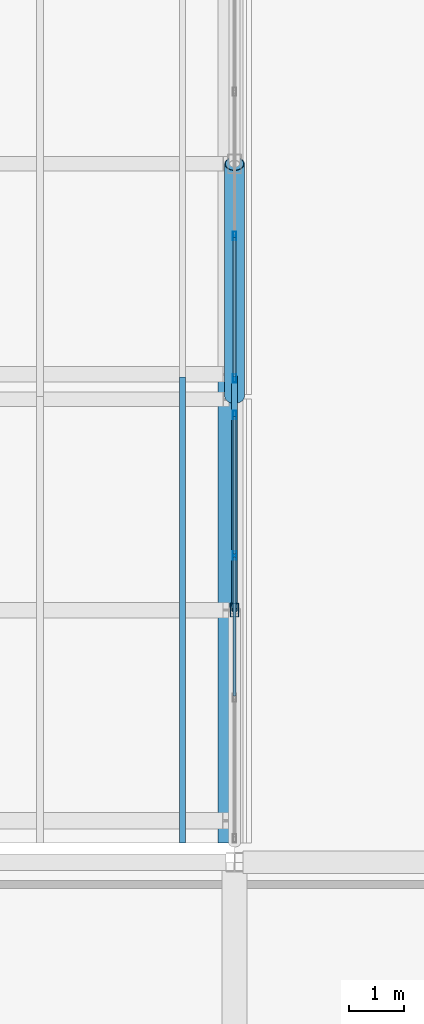
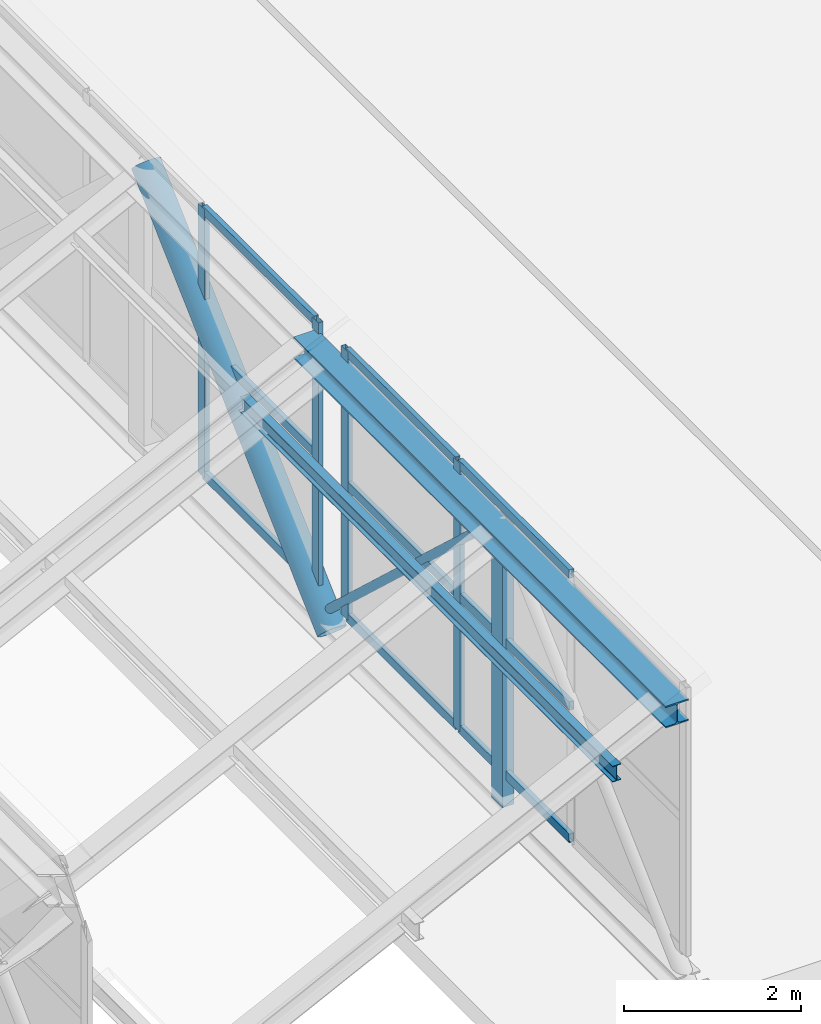
# One storey, part 46 of 101: 18 members, 2 elements without a shape of their own.
"""IFC4 building model written with IfcOpenShell, lengths in metres."""

import ifcopenshell
import ifcopenshell.guid

model = None  # the IFC model being written
_history = None  # IfcOwnerHistory: only IFC2X3 demands one
_inside = {}  # id of a spatial element -> (the spatial element, [elements in it])
_under = {}  # id of a project, library or spatial element -> (it, [spatial elements below it])
_declared = {}  # id of a project -> (the project, [libraries it declares])
_typed = {}  # id of a type object -> (the type object, [elements of that type])
_made_of = {}  # id of a material, layer set ... -> (it, [elements and type objects made of it])


def new_model(schema):
    """Start an empty IFC model of exactly this schema.

    Asked for "IFC4X3", IfcOpenShell would pick the latest addendum, in which some entities
    have other attributes; the version numbers below select the first issue.
    IFC2X3 requires an IfcOwnerHistory on every rooted entity: one is made here for all.
    """
    global model, _history
    if schema == "IFC4X3":
        model = ifcopenshell.file(schema_version=(4, 3, 0, 0))
    else:
        model = ifcopenshell.file(schema=schema)
    _inside.clear()
    _under.clear()
    _declared.clear()
    _typed.clear()
    _made_of.clear()
    _history = None
    if model.schema == "IFC2X3":
        org = make("IfcOrganization", Name="unknown")
        user = make(
            "IfcPersonAndOrganization",
            ThePerson=make("IfcPerson", FamilyName="unknown"),
            TheOrganization=org,
        )
        app = make(
            "IfcApplication",
            ApplicationDeveloper=org,
            Version="unknown",
            ApplicationFullName="unknown",
            ApplicationIdentifier="unknown",
        )
        _history = make(
            "IfcOwnerHistory",
            OwningUser=user,
            OwningApplication=app,
            ChangeAction="ADDED",
            CreationDate=0,
        )
    return model


def make(cls, **values):
    """One entity of the class cls with the attributes given. An attribute that is None is left unset."""
    return model.create_entity(
        cls, **{name: value for name, value in values.items() if value is not None}
    )


def rooted(cls, **values):
    """An entity with a GlobalId (a new one), such as an element, a storey or a relation."""
    return make(cls, GlobalId=ifcopenshell.guid.new(), OwnerHistory=_history, **values)


def si_unit(unit_type, name, prefix=None):
    """IfcSIUnit, for example si_unit("LENGTHUNIT", "METRE", prefix="MILLI")."""
    return make("IfcSIUnit", UnitType=unit_type, Prefix=prefix, Name=name)


def assignment(units):
    """IfcUnitAssignment: the units of a project."""
    return None if units is None else make("IfcUnitAssignment", Units=units)


def point(xyz):
    """IfcCartesianPoint."""
    return None if xyz is None else make("IfcCartesianPoint", Coordinates=xyz)


def direction(xyz):
    """IfcDirection."""
    return None if xyz is None else make("IfcDirection", DirectionRatios=xyz)


def frame(location, z_axis=None, x_axis=None):
    """IfcAxis2Placement3D, a coordinate frame: its origin and axes. An axis left out is left unset."""
    return make(
        "IfcAxis2Placement3D",
        Location=point(location),
        Axis=direction(z_axis),
        RefDirection=direction(x_axis),
    )


def frame_2d(location, x_axis=None):
    """IfcAxis2Placement2D, a coordinate frame in the plane: its origin and x axis."""
    return make(
        "IfcAxis2Placement2D", Location=point(location), RefDirection=direction(x_axis)
    )


def origin():
    """The frame at (0, 0, 0) with its axes left unset."""
    return frame((0.0, 0.0, 0.0))


def origin_2d():
    """The frame at (0, 0) in the plane with its x axis left unset."""
    return frame_2d((0.0, 0.0))


def place(relative_to, where):
    """IfcLocalPlacement: puts the frame where relative to a parent placement (None: the world)."""
    return make(
        "IfcLocalPlacement", PlacementRelTo=relative_to, RelativePlacement=where
    )


def context(
    kind, dimensions, precision=None, world=None, true_north=None, identifier=None
):
    """IfcGeometricRepresentationContext, for example the 3D "Model" context."""
    return make(
        "IfcGeometricRepresentationContext",
        ContextIdentifier=identifier,
        ContextType=kind,
        CoordinateSpaceDimension=dimensions,
        Precision=precision,
        WorldCoordinateSystem=world,
        TrueNorth=true_north,
    )


def subcontext(parent, identifier, kind, view, scale=None):
    """IfcGeometricRepresentationSubContext, for example "Body" below "Model"."""
    return make(
        "IfcGeometricRepresentationSubContext",
        ContextIdentifier=identifier,
        ContextType=kind,
        ParentContext=parent,
        TargetScale=scale,
        TargetView=view,
    )


def project(units=None, contexts=None):
    """IfcProject with its units and contexts."""
    return rooted(
        "IfcProject",
        Name="project",
        RepresentationContexts=contexts,
        UnitsInContext=assignment(units),
    )


def spatial(cls, under=None, at=None, **own):
    """A site, building, storey or space (cls), placed at a placement, below another one or the project."""
    s = rooted(cls, ObjectPlacement=at, **own)
    if under is not None:
        _under.setdefault(under.id(), (under, []))[1].append(s)
    return s


def profile(cls, at=None, kind="AREA", **sizes):
    """A parametric profile (cls). Its sizes go by their IFC names, for example OverallWidth=200.0."""
    return make(cls, ProfileType=kind, Position=at, **sizes)


def hollow_rectangle(**sizes):
    """IfcRectangleHollowProfileDef."""
    return profile("IfcRectangleHollowProfileDef", **sizes)


def hollow_circle(**sizes):
    """IfcCircleHollowProfileDef."""
    return profile("IfcCircleHollowProfileDef", **sizes)


def i_section(**sizes):
    """IfcIShapeProfileDef."""
    return profile("IfcIShapeProfileDef", **sizes)


def extrude(swept, where, along, depth):
    """IfcExtrudedAreaSolid: the profile swept, set in the frame where, extruded along a direction by depth."""
    return make(
        "IfcExtrudedAreaSolid",
        SweptArea=swept,
        Position=where,
        ExtrudedDirection=direction(along),
        Depth=depth,
    )


def shape(context_of_items, identifier, shape_type, items):
    """IfcShapeRepresentation: the items that make up one representation, for example the "Body"."""
    return make(
        "IfcShapeRepresentation",
        ContextOfItems=context_of_items,
        RepresentationIdentifier=identifier,
        RepresentationType=shape_type,
        Items=items,
    )


def material(Name=None, Category=None):
    """IfcMaterial."""
    return make("IfcMaterial", Name=Name, Category=Category)


def layer(
    of_material, thickness, ventilated=None, Name=None, Category=None, Priority=None
):
    """IfcMaterialLayer: one layer of a wall or slab, of a material (None: an air gap)."""
    return make(
        "IfcMaterialLayer",
        Material=of_material,
        LayerThickness=thickness,
        IsVentilated=ventilated,
        Name=Name,
        Category=Category,
        Priority=Priority,
    )


def layer_set(layers, Name=None):
    """IfcMaterialLayerSet."""
    return make("IfcMaterialLayerSet", MaterialLayers=layers, LayerSetName=Name)


def material_profile(
    of_material, cross_section, Name=None, Category=None, Priority=None
):
    """IfcMaterialProfile: a cross section and its material."""
    return make(
        "IfcMaterialProfile",
        Name=Name,
        Material=of_material,
        Profile=cross_section,
        Priority=Priority,
        Category=Category,
    )


def profile_set(profiles, Name=None, composite=None):
    """IfcMaterialProfileSet."""
    return make(
        "IfcMaterialProfileSet",
        Name=Name,
        MaterialProfiles=profiles,
        CompositeProfile=composite,
    )


def made_of(thing, what):
    """Note that an element or type object is made of a material, layer set ...; save() writes the relation."""
    if what is not None:
        _made_of.setdefault(what.id(), (what, []))[1].append(thing)
    return thing


def type_object(cls, material=None, **own):
    """A type object (cls), such as IfcWallType, which elements share."""
    return made_of(rooted(cls, **own), material)


def element(
    cls,
    number,
    at=None,
    inside=None,
    cuts=None,
    type_object=None,
    material=None,
    context=None,
    identifier="Body",
    shape_type=None,
    held_by="IfcProductDefinitionShape",
    body=None,
    shapes=None,
    **own,
):
    """One element of the class cls, such as IfcWall. Its Tag is "e" and its number.

    at: its placement. inside: the storey or other place that contains it. cuts: it is an
    opening in that element (IfcRelVoidsElement). A single representation is given by context,
    identifier, shape_type and body (its items); several are given by shapes. held_by: the class
    of the entity that holds the representations. save() writes the other relations.
    """
    e = rooted(cls, Tag="e%d" % number, ObjectPlacement=at, **own)
    if body is not None:
        shapes = [shape(context, identifier, shape_type, body)]
    if shapes is not None:
        e.Representation = make(held_by, Representations=shapes)
    if inside is not None:
        _inside.setdefault(inside.id(), (inside, []))[1].append(e)
    if cuts is not None:
        rooted(
            "IfcRelVoidsElement", RelatingBuildingElement=cuts, RelatedOpeningElement=e
        )
    if type_object is not None:
        _typed.setdefault(type_object.id(), (type_object, []))[1].append(e)
    return made_of(e, material)


def aggregate(whole, parts):
    """IfcRelAggregates: a whole, such as a stair, and the parts it consists of."""
    return rooted("IfcRelAggregates", RelatingObject=whole, RelatedObjects=parts)


def save(model, path):
    """Write the relations noted so far, then the file.

    IfcRelAggregates (storeys below a building ...), IfcRelContainedInSpatialStructure (elements
    in a storey), IfcRelDefinesByType, IfcRelAssociatesMaterial and IfcRelDeclares: one each for
    every whole, place, type object, material and project.
    """
    for whole, parts in _under.values():
        aggregate(whole, parts)
    for where, things in _inside.values():
        rooted(
            "IfcRelContainedInSpatialStructure",
            RelatedElements=things,
            RelatingStructure=where,
        )
    for kind, things in _typed.values():
        rooted("IfcRelDefinesByType", RelatedObjects=things, RelatingType=kind)
    for what, things in _made_of.values():
        rooted("IfcRelAssociatesMaterial", RelatedObjects=things, RelatingMaterial=what)
    for by, libraries in _declared.values():
        rooted("IfcRelDeclares", RelatingContext=by, RelatedDefinitions=libraries)
    model.write(path)


model = new_model("IFC4")

# Units and contexts
model_context = context("Model", 3, precision=1e-05, world=origin(), true_north=direction((0.0, 1.0)))
body_context = subcontext(model_context, "Body", "Model", "MODEL_VIEW")
ifc_project = project(units=[si_unit("LENGTHUNIT", "METRE"), si_unit("AREAUNIT", "SQUARE_METRE"), si_unit("VOLUMEUNIT", "CUBIC_METRE"), si_unit("PLANEANGLEUNIT", "RADIAN"), si_unit("MASSUNIT", "GRAM", prefix="KILO")], contexts=[model_context])

# Site, building, storey
site_placement = place(None, origin())
site = spatial("IfcSite", under=ifc_project, at=site_placement, CompositionType="ELEMENT")
building_placement = place(site_placement, origin())
building = spatial("IfcBuilding", under=site, at=building_placement, Name="Zizhar Promenade General Hospital", CompositionType="ELEMENT")
storey_placement = place(building_placement, frame((0.0, 0.0, 14.39990234375)))
storey = spatial("IfcBuildingStorey", under=building, at=storey_placement, Name="L03", CompositionType="ELEMENT", Elevation=14.39990234375)

# Curtain wall, members
ifc_material_1 = material(Name="Anodised aluminium 6063-T6 and low-E glass", Category="aluminium")
ifc_layer_1 = layer(ifc_material_1, 0.159912109375)
ifc_layer_set_1 = layer_set([ifc_layer_1], Name="Anodised aluminium 6063-T6 and low-E glass")
curtain_wall_type_1 = type_object("IfcCurtainWallType", Name="CW-SAW-NL1", PredefinedType="NOTDEFINED", material=ifc_layer_set_1)
curtain_wall_1_placement = place(storey_placement, origin())
curtain_wall_1 = element("IfcCurtainWall", 1, at=curtain_wall_1_placement, inside=storey, type_object=curtain_wall_type_1, Name="Sawtooth Clerestory Light B7-S1", PredefinedType="NOTDEFINED")
ifc_material_2 = material(Name="Anodised aluminium 6063-T6", Category="aluminium")
ifc_material_profile_1 = material_profile(ifc_material_2, hollow_rectangle(XDim=0.06005859375, YDim=0.14990234375, WallThickness=0.00390625, at=origin_2d()))
ifc_profile_set_1 = profile_set([ifc_material_profile_1], Name="Anodised aluminium 6063-T6")
member_type_1 = type_object("IfcMemberType", Name="CWM-ALU-150x60", PredefinedType="MULLION", material=ifc_profile_set_1)
member_1_placement = place(storey_placement, frame((124.800048828125, 30.7333984375, 3.85009765625), z_axis=(0.0, 0.0, 1.0), x_axis=(-1.0, 0.0, 0.0)))
member_1 = element("IfcMember", 2, at=member_1_placement, type_object=member_type_1, Name="CW-03 mullion 3", PredefinedType="MULLION", context=body_context, shape_type="SweptSolid", body=[
    extrude(hollow_rectangle(XDim=0.06005859375, YDim=0.14990234375, WallThickness=0.00390625, at=origin_2d()), origin(), (0.0, 0.0, 1.0), 3.699951171875),
])
member_2_placement = place(storey_placement, frame((124.800048828125, 33.27001953125, 3.85009765625), z_axis=(0.0, 0.0, 1.0), x_axis=(-1.0, 0.0, 0.0)))
member_2 = element("IfcMember", 3, at=member_2_placement, type_object=member_type_1, Name="CW-03 mullion 4", PredefinedType="MULLION", context=body_context, shape_type="SweptSolid", body=[
    extrude(hollow_rectangle(XDim=0.06005859375, YDim=0.14990234375, WallThickness=0.00390625, at=origin_2d()), origin(), (0.0, 0.0, 1.0), 3.699951171875),
])

ifc_material_3 = material(Name="Anodised aluminium 6063-T6 and low-E glass", Category="aluminium")
ifc_layer_2 = layer(ifc_material_3, 0.159912109375)
ifc_layer_set_2 = layer_set([ifc_layer_2], Name="Anodised aluminium 6063-T6 and low-E glass")
curtain_wall_type_2 = type_object("IfcCurtainWallType", Name="CW-SAW-NL2", PredefinedType="NOTDEFINED", material=ifc_layer_set_2)
curtain_wall_2_placement = place(storey_placement, origin())
curtain_wall_2 = element("IfcCurtainWall", 4, at=curtain_wall_2_placement, inside=storey, type_object=curtain_wall_type_2, Name="Sawtooth Clerestory Light B7-S2", PredefinedType="NOTDEFINED")
member_3_placement = place(storey_placement, frame((124.800048828125, 33.929931640625, 3.85009765625), z_axis=(0.0, 0.0, 1.0), x_axis=(-1.0, 0.0, 0.0)))
member_3 = element("IfcMember", 5, at=member_3_placement, type_object=member_type_1, Name="CW-04 mullion 1", PredefinedType="MULLION", context=body_context, shape_type="SweptSolid", body=[
    extrude(hollow_rectangle(XDim=0.06005859375, YDim=0.14990234375, WallThickness=0.00390625, at=origin_2d()), origin(), (0.0, 0.0, 1.0), 3.699951171875),
])
member_4_placement = place(storey_placement, frame((124.800048828125, 36.5, 3.85009765625), z_axis=(0.0, 0.0, 1.0), x_axis=(-1.0, 0.0, 0.0)))
member_4 = element("IfcMember", 6, at=member_4_placement, type_object=member_type_1, Name="CW-04 mullion 2", PredefinedType="MULLION", context=body_context, shape_type="SweptSolid", body=[
    extrude(hollow_rectangle(XDim=0.06005859375, YDim=0.14990234375, WallThickness=0.00390625, at=origin_2d()), origin(), (0.0, 0.0, 1.0), 3.699951171875),
])

# Member
ifc_material_4 = material(Name="Anodised aluminium 6063-T6", Category="aluminium")
ifc_material_profile_2 = material_profile(ifc_material_4, hollow_rectangle(XDim=0.06005859375, YDim=0.1201171875, WallThickness=0.00390625, at=origin_2d()))
ifc_profile_set_2 = profile_set([ifc_material_profile_2], Name="Anodised aluminium 6063-T6")
member_type_2 = type_object("IfcMemberType", Name="CWT-ALU-120x60", PredefinedType="USERDEFINED", material=ifc_profile_set_2)
member_5_placement = place(storey_placement, frame((124.800048828125, 28.19677734375, 3.880126953125), z_axis=(0.0, 1.0, 0.0), x_axis=(-1.0, 0.0, 0.0)))
member_5 = element("IfcMember", 7, at=member_5_placement, type_object=member_type_2, Name="CW-03 transom 2.1", ObjectType="TRANSOM", PredefinedType="USERDEFINED", context=body_context, shape_type="SweptSolid", body=[
    extrude(hollow_rectangle(XDim=0.06005859375, YDim=0.1201171875, WallThickness=0.00390625, at=origin_2d()), origin(), (0.0, 0.0, 1.0), 2.506591796875),
])

member_6_placement = place(storey_placement, frame((124.800048828125, 28.19677734375, 5.7001953125), z_axis=(0.0, 1.0, 0.0), x_axis=(-1.0, 0.0, 0.0)))
member_6 = element("IfcMember", 8, at=member_6_placement, type_object=member_type_2, Name="CW-03 transom 2.2", ObjectType="TRANSOM", PredefinedType="USERDEFINED", context=body_context, shape_type="SweptSolid", body=[
    extrude(hollow_rectangle(XDim=0.06005859375, YDim=0.1201171875, WallThickness=0.00390625, at=origin_2d()), origin(), (0.0, 0.0, 1.0), 2.506591796875),
])

member_7_placement = place(storey_placement, frame((124.800048828125, 28.19677734375, 7.52001953125), z_axis=(0.0, 1.0, 0.0), x_axis=(-1.0, 0.0, 0.0)))
member_7 = element("IfcMember", 9, at=member_7_placement, type_object=member_type_2, Name="CW-03 transom 2.3", ObjectType="TRANSOM", PredefinedType="USERDEFINED", context=body_context, shape_type="SweptSolid", body=[
    extrude(hollow_rectangle(XDim=0.06005859375, YDim=0.1201171875, WallThickness=0.00390625, at=origin_2d()), origin(), (0.0, 0.0, 1.0), 2.506591796875),
])

member_8_placement = place(storey_placement, frame((124.800048828125, 30.763427734375, 3.880126953125), z_axis=(0.0, 1.0, 0.0), x_axis=(-1.0, 0.0, 0.0)))
member_8 = element("IfcMember", 10, at=member_8_placement, type_object=member_type_2, Name="CW-03 transom 3.1", ObjectType="TRANSOM", PredefinedType="USERDEFINED", context=body_context, shape_type="SweptSolid", body=[
    extrude(hollow_rectangle(XDim=0.06005859375, YDim=0.1201171875, WallThickness=0.00390625, at=origin_2d()), origin(), (0.0, 0.0, 1.0), 2.4765625),
])

member_9_placement = place(storey_placement, frame((124.800048828125, 30.763427734375, 5.7001953125), z_axis=(0.0, 1.0, 0.0), x_axis=(-1.0, 0.0, 0.0)))
member_9 = element("IfcMember", 11, at=member_9_placement, type_object=member_type_2, Name="CW-03 transom 3.2", ObjectType="TRANSOM", PredefinedType="USERDEFINED", context=body_context, shape_type="SweptSolid", body=[
    extrude(hollow_rectangle(XDim=0.06005859375, YDim=0.1201171875, WallThickness=0.00390625, at=origin_2d()), origin(), (0.0, 0.0, 1.0), 2.4765625),
])

member_10_placement = place(storey_placement, frame((124.800048828125, 30.763427734375, 7.52001953125), z_axis=(0.0, 1.0, 0.0), x_axis=(-1.0, 0.0, 0.0)))
member_10 = element("IfcMember", 12, at=member_10_placement, type_object=member_type_2, Name="CW-03 transom 3.3", ObjectType="TRANSOM", PredefinedType="USERDEFINED", context=body_context, shape_type="SweptSolid", body=[
    extrude(hollow_rectangle(XDim=0.06005859375, YDim=0.1201171875, WallThickness=0.00390625, at=origin_2d()), origin(), (0.0, 0.0, 1.0), 2.4765625),
])

aggregate(curtain_wall_1, [member_1, member_2, member_5, member_6, member_7, member_8, member_9, member_10])

member_11_placement = place(storey_placement, frame((124.800048828125, 33.9599609375, 3.880126953125), z_axis=(0.0, 1.0, 0.0), x_axis=(-1.0, 0.0, 0.0)))
member_11 = element("IfcMember", 13, at=member_11_placement, type_object=member_type_2, Name="CW-04 transom 1.1", ObjectType="TRANSOM", PredefinedType="USERDEFINED", context=body_context, shape_type="SweptSolid", body=[
    extrude(hollow_rectangle(XDim=0.06005859375, YDim=0.1201171875, WallThickness=0.00390625, at=origin_2d()), origin(), (0.0, 0.0, 1.0), 2.510009765625),
])

member_12_placement = place(storey_placement, frame((124.800048828125, 33.9599609375, 5.7001953125), z_axis=(0.0, 1.0, 0.0), x_axis=(-1.0, 0.0, 0.0)))
member_12 = element("IfcMember", 14, at=member_12_placement, type_object=member_type_2, Name="CW-04 transom 1.2", ObjectType="TRANSOM", PredefinedType="USERDEFINED", context=body_context, shape_type="SweptSolid", body=[
    extrude(hollow_rectangle(XDim=0.06005859375, YDim=0.1201171875, WallThickness=0.00390625, at=origin_2d()), origin(), (0.0, 0.0, 1.0), 2.510009765625),
])

member_13_placement = place(storey_placement, frame((124.800048828125, 33.9599609375, 7.52001953125), z_axis=(0.0, 1.0, 0.0), x_axis=(-1.0, 0.0, 0.0)))
member_13 = element("IfcMember", 15, at=member_13_placement, type_object=member_type_2, Name="CW-04 transom 1.3", ObjectType="TRANSOM", PredefinedType="USERDEFINED", context=body_context, shape_type="SweptSolid", body=[
    extrude(hollow_rectangle(XDim=0.06005859375, YDim=0.1201171875, WallThickness=0.00390625, at=origin_2d()), origin(), (0.0, 0.0, 1.0), 2.510009765625),
])

aggregate(curtain_wall_2, [member_3, member_4, member_11, member_12, member_13])

# Members
ifc_material_5 = material(Name="Steel S355", Category="steel")
ifc_material_profile_3 = material_profile(ifc_material_5, hollow_circle(Radius=0.05712890625, WallThickness=0.00634765625, at=origin_2d()))
ifc_profile_set_3 = profile_set([ifc_material_profile_3], Name="Steel S355")
member_type_3 = type_object("IfcMemberType", Name="MEM-BRACE-CHS114", PredefinedType="BRACE", material=ifc_profile_set_3)
member_14_placement = place(storey_placement, frame((124.800048828125, 33.949951171875, 3.4501953125), z_axis=(0.0, -0.732798043082, 0.680446197767), x_axis=(1.0, 0.0, 0.0)))
element("IfcMember", 16, at=member_14_placement, inside=storey, type_object=member_type_3, Name="Sawtooth Truss Frame 8 Diagonal B1", PredefinedType="BRACE", context=body_context, shape_type="SweptSolid", body=[
    extrude(hollow_circle(Radius=0.05712890625, WallThickness=0.00634765625, at=origin_2d()), origin(), (0.0, 0.0, 1.0), 5.7314453125),
])
ifc_material_6 = material(Name="Steel S355", Category="steel")
ifc_material_profile_4 = material_profile(ifc_material_6, i_section(OverallWidth=0.300048828125, OverallDepth=0.300048828125, WebThickness=0.010986328125, FlangeThickness=0.01904296875, FilletRadius=0.027099609375, at=origin_2d()))
ifc_profile_set_4 = profile_set([ifc_material_profile_4], Name="Steel S355")
member_type_4 = type_object("IfcMemberType", Name="MEM-CHORD-HEB300", PredefinedType="CHORD", material=ifc_profile_set_4)
member_15_placement = place(storey_placement, frame((124.64990234375, 25.550048828125, 7.25), z_axis=(0.0, 1.0, 0.0), x_axis=(-1.0, 0.0, 0.0)))
element("IfcMember", 17, at=member_15_placement, inside=storey, type_object=member_type_4, Name="Sawtooth Bay 7 Ridge Chord 1", PredefinedType="CHORD", context=body_context, shape_type="SweptSolid", body=[
    extrude(i_section(OverallWidth=0.300048828125, OverallDepth=0.300048828125, WebThickness=0.010986328125, FlangeThickness=0.01904296875, FilletRadius=0.027099609375, at=origin_2d()), origin(), (0.0, 0.0, 1.0), 8.39990234375),
])
ifc_material_7 = material(Name="Steel S355", Category="steel")
ifc_material_profile_5 = material_profile(ifc_material_7, hollow_circle(Radius=0.177734375, WallThickness=0.012451171875, at=origin_2d()))
ifc_profile_set_5 = profile_set([ifc_material_profile_5], Name="Steel S355")
member_type_5 = type_object("IfcMemberType", Name="MEM-DIAG-CHS356", PredefinedType="BRACE", material=ifc_profile_set_5)
member_16_placement = place(storey_placement, frame((124.800048828125, 33.60009765625, 3.4501953125), z_axis=(0.0, 0.732798043082, 0.680446197767), x_axis=(-1.0, 0.0, 0.0)))
element("IfcMember", 18, at=member_16_placement, inside=storey, type_object=member_type_5, Name="Sawtooth Truss Frame 8 Diagonal A2", PredefinedType="BRACE", context=body_context, shape_type="SweptSolid", body=[
    extrude(hollow_circle(Radius=0.177734375, WallThickness=0.012451171875, at=origin_2d()), origin(), (0.0, 0.0, 1.0), 5.7314453125),
])
ifc_material_8 = material(Name="Steel S355", Category="steel")
ifc_material_profile_6 = material_profile(ifc_material_8, i_section(OverallWidth=0.110107421875, OverallDepth=0.219970703125, WebThickness=0.005859375, FlangeThickness=0.00927734375, FilletRadius=0.011962890625, at=origin_2d()))
ifc_profile_set_6 = profile_set([ifc_material_profile_6], Name="Steel S355")
member_type_6 = type_object("IfcMemberType", Name="MEM-PURL-IPE220", PredefinedType="PURLIN", material=ifc_profile_set_6)
member_17_placement = place(storey_placement, frame((123.864013671875, 25.550048828125, 6.705078125), z_axis=(0.0, 1.0, 0.0), x_axis=(-1.0, 0.0, 0.0)))
element("IfcMember", 19, at=member_17_placement, inside=storey, type_object=member_type_6, Name="Sawtooth Bay 7 Purlin 1-3", PredefinedType="PURLIN", context=body_context, shape_type="SweptSolid", body=[
    extrude(i_section(OverallWidth=0.110107421875, OverallDepth=0.219970703125, WebThickness=0.005859375, FlangeThickness=0.00927734375, FilletRadius=0.011962890625, at=origin_2d()), origin(), (0.0, 0.0, 1.0), 8.39990234375),
])
ifc_material_9 = material(Name="Steel S355", Category="steel")
ifc_material_profile_7 = material_profile(ifc_material_9, hollow_rectangle(XDim=0.14990234375, YDim=0.25, WallThickness=0.008056640625, at=origin_2d()))
ifc_profile_set_7 = profile_set([ifc_material_profile_7], Name="Steel S355")
member_type_7 = type_object("IfcMemberType", Name="MEM-STRUT-RHS250", PredefinedType="STRUT", material=ifc_profile_set_7)
member_18_placement = place(storey_placement, frame((124.800048828125, 29.75, 3.4501953125), z_axis=(0.0, 0.0, 1.0), x_axis=(1.0, 0.0, 0.0)))
element("IfcMember", 20, at=member_18_placement, inside=storey, type_object=member_type_7, Name="Sawtooth Truss Frame 8 Vertical Post 1", PredefinedType="STRUT", context=body_context, shape_type="SweptSolid", body=[
    extrude(hollow_rectangle(XDim=0.14990234375, YDim=0.25, WallThickness=0.008056640625, at=origin_2d()), origin(), (0.0, 0.0, 1.0), 3.89990234375),
])

save(model, "model.ifc")
